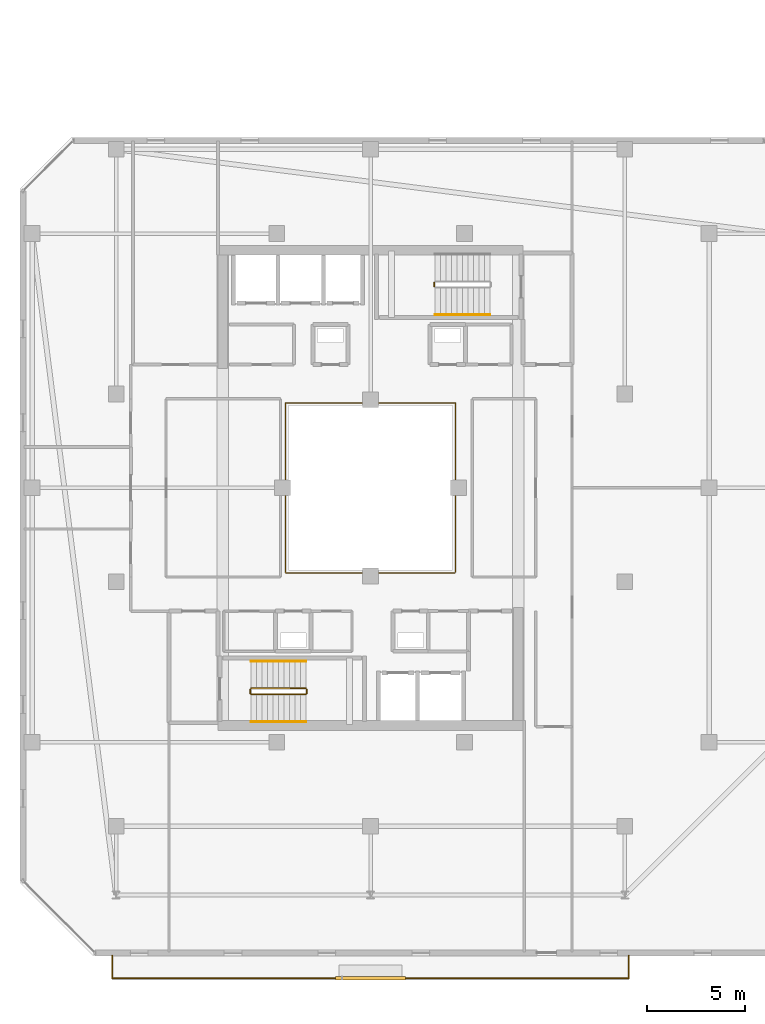
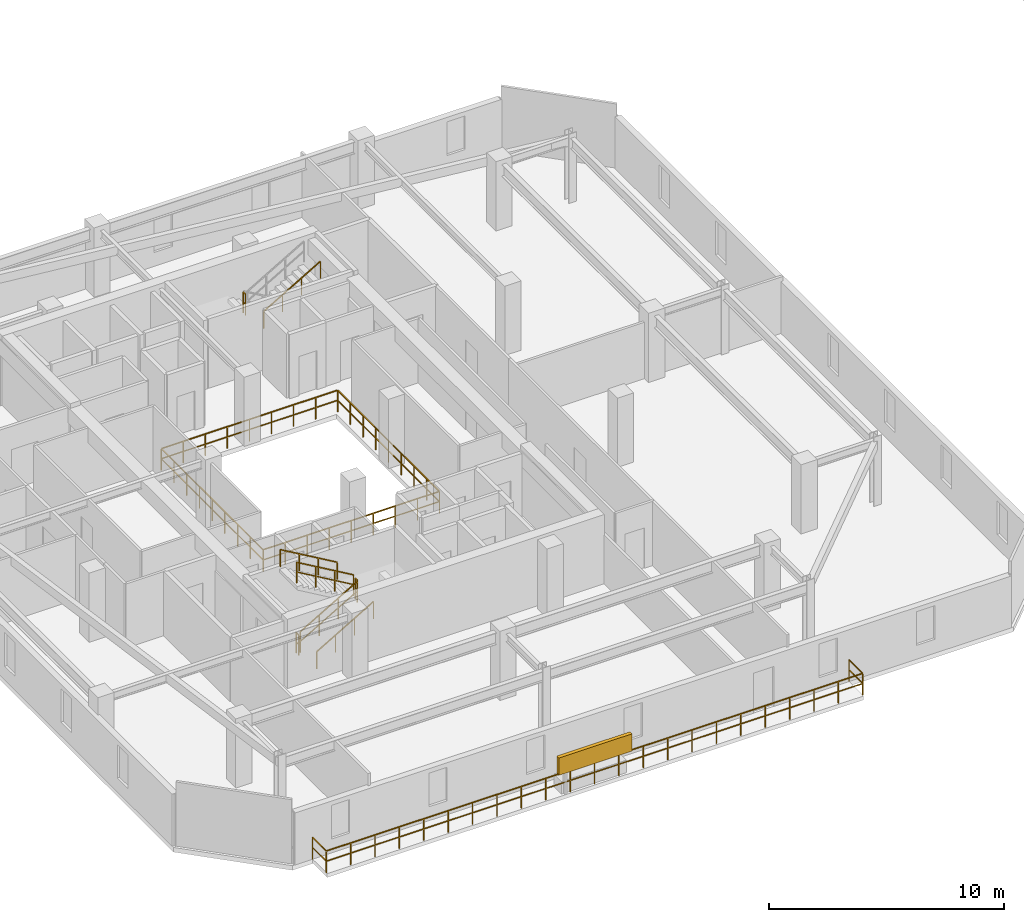
# One storey, part 31 of 34: 10 railings, 1 shading device.
"""IFC4 building model written with IfcOpenShell, lengths in metres."""

from ifc_helpers import new_model, si_unit, direction, frame, origin, origin_2d, place, context, subcontext, project, spatial, rectangle, extrude, material, type_object, element, save


model = new_model("IFC4")

# Units and contexts
model_context = context("Model", 3, precision=1e-05, world=origin(), true_north=direction((0.0, 1.0)))
body_context = subcontext(model_context, "Body", "Model", "MODEL_VIEW")
ifc_project = project(units=[si_unit("LENGTHUNIT", "METRE"), si_unit("AREAUNIT", "SQUARE_METRE"), si_unit("VOLUMEUNIT", "CUBIC_METRE"), si_unit("PLANEANGLEUNIT", "RADIAN"), si_unit("MASSUNIT", "GRAM", prefix="KILO")], contexts=[model_context])

# Site, building, storey
site_placement = place(None, origin())
site = spatial("IfcSite", under=ifc_project, at=site_placement, CompositionType="ELEMENT")
building_placement = place(site_placement, origin())
building = spatial("IfcBuilding", under=site, at=building_placement, Name="Thornwick Lancets Civic Towers", CompositionType="ELEMENT")
storey_placement = place(building_placement, frame((0.0, 0.0, 261.89990234375)))
storey = spatial("IfcBuildingStorey", under=building, at=storey_placement, Name="L70", CompositionType="ELEMENT", Elevation=261.89990234375)

# Railings
ifc_material_1 = material(Name="Laminated glass and bronze steel S355", Category="steel")
railing_type_1 = type_object("IfcRailingType", Name="RAIL_ATRIUM_GUARD", PredefinedType="BALUSTRADE", material=ifc_material_1)
railing_1_placement = place(storey_placement, frame((21.159912109375, 22.659912109375, 0.0)))
element("IfcRailing", 1, at=railing_1_placement, inside=storey, type_object=railing_type_1, Name="L70 Tower A Central Atrium Guard Balustrade", PredefinedType="BALUSTRADE", context=body_context, shape_type="SweptSolid", body=[
    extrude(rectangle(XDim=0.048095703125, YDim=0.048095703125, at=origin_2d()), frame((0.0, 0.0, 1.1259765625), z_axis=(1.0, 0.0, 0.0), x_axis=(0.0, 1.0, 0.0)), (0.0, 0.0, 1.0), 8.64892578125),
    extrude(rectangle(XDim=0.0419921875, YDim=0.0419921875, at=origin_2d()), frame((0.03759765625, 0.0, 0.597900390625), z_axis=(1.0, 0.0, 0.0), x_axis=(0.0, 1.0, 0.0)), (0.0, 0.0, 1.0), 1.010009765625),
    extrude(rectangle(XDim=0.0419921875, YDim=0.0419921875, at=origin_2d()), frame((1.12255859375, 0.0, 0.597900390625), z_axis=(1.0, 0.0, 0.0), x_axis=(0.0, 1.0, 0.0)), (0.0, 0.0, 1.0), 1.010009765625),
    extrude(rectangle(XDim=0.0419921875, YDim=0.0419921875, at=origin_2d()), frame((2.20751953125, 0.0, 0.597900390625), z_axis=(1.0, 0.0, 0.0), x_axis=(0.0, 1.0, 0.0)), (0.0, 0.0, 1.0), 1.010009765625),
    extrude(rectangle(XDim=0.0419921875, YDim=0.0419921875, at=origin_2d()), frame((3.29248046875, 0.0, 0.597900390625), z_axis=(1.0, 0.0, 0.0), x_axis=(0.0, 1.0, 0.0)), (0.0, 0.0, 1.0), 1.010009765625),
    extrude(rectangle(XDim=0.0419921875, YDim=0.0419921875, at=origin_2d()), frame((4.377685546875, 0.0, 0.597900390625), z_axis=(1.0, 0.0, 0.0), x_axis=(0.0, 1.0, 0.0)), (0.0, 0.0, 1.0), 1.010009765625),
    extrude(rectangle(XDim=0.0419921875, YDim=0.0419921875, at=origin_2d()), frame((5.462646484375, 0.0, 0.597900390625), z_axis=(1.0, 0.0, 0.0), x_axis=(0.0, 1.0, 0.0)), (0.0, 0.0, 1.0), 1.010009765625),
    extrude(rectangle(XDim=0.0419921875, YDim=0.0419921875, at=origin_2d()), frame((6.547607421875, 0.0, 0.597900390625), z_axis=(1.0, 0.0, 0.0), x_axis=(0.0, 1.0, 0.0)), (0.0, 0.0, 1.0), 1.010009765625),
    extrude(rectangle(XDim=0.0419921875, YDim=0.0419921875, at=origin_2d()), frame((7.632568359375, 0.0, 0.597900390625), z_axis=(1.0, 0.0, 0.0), x_axis=(0.0, 1.0, 0.0)), (0.0, 0.0, 1.0), 1.010009765625),
    extrude(rectangle(XDim=0.048095703125, YDim=0.048095703125, at=origin_2d()), frame((8.68017578125, 0.03125, 1.1259765625), z_axis=(0.0, 1.0, 0.0), x_axis=(-1.0, 0.0, 0.0)), (0.0, 0.0, 1.0), 8.61767578125),
    extrude(rectangle(XDim=0.0419921875, YDim=0.0419921875, at=origin_2d()), frame((8.68017578125, 0.03759765625, 0.597900390625), z_axis=(0.0, 1.0, 0.0), x_axis=(-1.0, 0.0, 0.0)), (0.0, 0.0, 1.0), 1.010009765625),
    extrude(rectangle(XDim=0.0419921875, YDim=0.0419921875, at=origin_2d()), frame((8.68017578125, 1.12255859375, 0.597900390625), z_axis=(0.0, 1.0, 0.0), x_axis=(-1.0, 0.0, 0.0)), (0.0, 0.0, 1.0), 1.010009765625),
    extrude(rectangle(XDim=0.0419921875, YDim=0.0419921875, at=origin_2d()), frame((8.68017578125, 2.20751953125, 0.597900390625), z_axis=(0.0, 1.0, 0.0), x_axis=(-1.0, 0.0, 0.0)), (0.0, 0.0, 1.0), 1.010009765625),
    extrude(rectangle(XDim=0.0419921875, YDim=0.0419921875, at=origin_2d()), frame((8.68017578125, 3.29248046875, 0.597900390625), z_axis=(0.0, 1.0, 0.0), x_axis=(-1.0, 0.0, 0.0)), (0.0, 0.0, 1.0), 1.010009765625),
    extrude(rectangle(XDim=0.0419921875, YDim=0.0419921875, at=origin_2d()), frame((8.68017578125, 4.377685546875, 0.597900390625), z_axis=(0.0, 1.0, 0.0), x_axis=(-1.0, 0.0, 0.0)), (0.0, 0.0, 1.0), 1.010009765625),
    extrude(rectangle(XDim=0.0419921875, YDim=0.0419921875, at=origin_2d()), frame((8.68017578125, 5.462646484375, 0.597900390625), z_axis=(0.0, 1.0, 0.0), x_axis=(-1.0, 0.0, 0.0)), (0.0, 0.0, 1.0), 1.010009765625),
    extrude(rectangle(XDim=0.0419921875, YDim=0.0419921875, at=origin_2d()), frame((8.68017578125, 6.547607421875, 0.597900390625), z_axis=(0.0, 1.0, 0.0), x_axis=(-1.0, 0.0, 0.0)), (0.0, 0.0, 1.0), 1.010009765625),
    extrude(rectangle(XDim=0.0419921875, YDim=0.0419921875, at=origin_2d()), frame((8.68017578125, 7.632568359375, 0.597900390625), z_axis=(0.0, 1.0, 0.0), x_axis=(-1.0, 0.0, 0.0)), (0.0, 0.0, 1.0), 1.010009765625),
    extrude(rectangle(XDim=0.048095703125, YDim=0.048095703125, at=origin_2d()), frame((8.64892578125, 8.68017578125, 1.1259765625), z_axis=(-1.0, 0.0, 0.0), x_axis=(0.0, -1.0, 0.0)), (0.0, 0.0, 1.0), 8.61767578125),
    extrude(rectangle(XDim=0.0419921875, YDim=0.0419921875, at=origin_2d()), frame((8.642578125, 8.68017578125, 0.597900390625), z_axis=(-1.0, 0.0, 0.0), x_axis=(0.0, -1.0, 0.0)), (0.0, 0.0, 1.0), 1.010009765625),
    extrude(rectangle(XDim=0.0419921875, YDim=0.0419921875, at=origin_2d()), frame((7.5576171875, 8.68017578125, 0.597900390625), z_axis=(-1.0, 0.0, 0.0), x_axis=(0.0, -1.0, 0.0)), (0.0, 0.0, 1.0), 1.010009765625),
    extrude(rectangle(XDim=0.0419921875, YDim=0.0419921875, at=origin_2d()), frame((6.47265625, 8.68017578125, 0.597900390625), z_axis=(-1.0, 0.0, 0.0), x_axis=(0.0, -1.0, 0.0)), (0.0, 0.0, 1.0), 1.010009765625),
    extrude(rectangle(XDim=0.0419921875, YDim=0.0419921875, at=origin_2d()), frame((5.3876953125, 8.68017578125, 0.597900390625), z_axis=(-1.0, 0.0, 0.0), x_axis=(0.0, -1.0, 0.0)), (0.0, 0.0, 1.0), 1.010009765625),
    extrude(rectangle(XDim=0.0419921875, YDim=0.0419921875, at=origin_2d()), frame((4.302490234375, 8.68017578125, 0.597900390625), z_axis=(-1.0, 0.0, 0.0), x_axis=(0.0, -1.0, 0.0)), (0.0, 0.0, 1.0), 1.010009765625),
    extrude(rectangle(XDim=0.0419921875, YDim=0.0419921875, at=origin_2d()), frame((3.217529296875, 8.68017578125, 0.597900390625), z_axis=(-1.0, 0.0, 0.0), x_axis=(0.0, -1.0, 0.0)), (0.0, 0.0, 1.0), 1.010009765625),
    extrude(rectangle(XDim=0.0419921875, YDim=0.0419921875, at=origin_2d()), frame((2.132568359375, 8.68017578125, 0.597900390625), z_axis=(-1.0, 0.0, 0.0), x_axis=(0.0, -1.0, 0.0)), (0.0, 0.0, 1.0), 1.010009765625),
    extrude(rectangle(XDim=0.0419921875, YDim=0.0419921875, at=origin_2d()), frame((1.047607421875, 8.68017578125, 0.597900390625), z_axis=(-1.0, 0.0, 0.0), x_axis=(0.0, -1.0, 0.0)), (0.0, 0.0, 1.0), 1.010009765625),
    extrude(rectangle(XDim=0.048095703125, YDim=0.048095703125, at=origin_2d()), frame((0.0, 8.64892578125, 1.1259765625), z_axis=(0.0, -1.0, 0.0), x_axis=(1.0, 0.0, 0.0)), (0.0, 0.0, 1.0), 8.64892578125),
    extrude(rectangle(XDim=0.0419921875, YDim=0.0419921875, at=origin_2d()), frame((0.0, 8.642578125, 0.597900390625), z_axis=(0.0, -1.0, 0.0), x_axis=(1.0, 0.0, 0.0)), (0.0, 0.0, 1.0), 1.010009765625),
    extrude(rectangle(XDim=0.0419921875, YDim=0.0419921875, at=origin_2d()), frame((0.0, 7.5576171875, 0.597900390625), z_axis=(0.0, -1.0, 0.0), x_axis=(1.0, 0.0, 0.0)), (0.0, 0.0, 1.0), 1.010009765625),
    extrude(rectangle(XDim=0.0419921875, YDim=0.0419921875, at=origin_2d()), frame((0.0, 6.47265625, 0.597900390625), z_axis=(0.0, -1.0, 0.0), x_axis=(1.0, 0.0, 0.0)), (0.0, 0.0, 1.0), 1.010009765625),
    extrude(rectangle(XDim=0.0419921875, YDim=0.0419921875, at=origin_2d()), frame((0.0, 5.3876953125, 0.597900390625), z_axis=(0.0, -1.0, 0.0), x_axis=(1.0, 0.0, 0.0)), (0.0, 0.0, 1.0), 1.010009765625),
    extrude(rectangle(XDim=0.0419921875, YDim=0.0419921875, at=origin_2d()), frame((0.0, 4.302490234375, 0.597900390625), z_axis=(0.0, -1.0, 0.0), x_axis=(1.0, 0.0, 0.0)), (0.0, 0.0, 1.0), 1.010009765625),
    extrude(rectangle(XDim=0.0419921875, YDim=0.0419921875, at=origin_2d()), frame((0.0, 3.217529296875, 0.597900390625), z_axis=(0.0, -1.0, 0.0), x_axis=(1.0, 0.0, 0.0)), (0.0, 0.0, 1.0), 1.010009765625),
    extrude(rectangle(XDim=0.0419921875, YDim=0.0419921875, at=origin_2d()), frame((0.0, 2.132568359375, 0.597900390625), z_axis=(0.0, -1.0, 0.0), x_axis=(1.0, 0.0, 0.0)), (0.0, 0.0, 1.0), 1.010009765625),
    extrude(rectangle(XDim=0.0419921875, YDim=0.0419921875, at=origin_2d()), frame((0.0, 1.047607421875, 0.597900390625), z_axis=(0.0, -1.0, 0.0), x_axis=(1.0, 0.0, 0.0)), (0.0, 0.0, 1.0), 1.010009765625),
    extrude(rectangle(XDim=0.0419921875, YDim=0.0419921875, at=origin_2d()), origin(), (0.0, 0.0, 1.0), 1.095703125),
    extrude(rectangle(XDim=0.0419921875, YDim=0.0419921875, at=origin_2d()), frame((1.0849609375, 0.0, 0.0)), (0.0, 0.0, 1.0), 1.095703125),
    extrude(rectangle(XDim=0.0419921875, YDim=0.0419921875, at=origin_2d()), frame((2.169921875, 0.0, 0.0)), (0.0, 0.0, 1.0), 1.095703125),
    extrude(rectangle(XDim=0.0419921875, YDim=0.0419921875, at=origin_2d()), frame((3.255126953125, 0.0, 0.0)), (0.0, 0.0, 1.0), 1.095703125),
    extrude(rectangle(XDim=0.0419921875, YDim=0.0419921875, at=origin_2d()), frame((4.340087890625, 0.0, 0.0)), (0.0, 0.0, 1.0), 1.095703125),
    extrude(rectangle(XDim=0.0419921875, YDim=0.0419921875, at=origin_2d()), frame((5.425048828125, 0.0, 0.0)), (0.0, 0.0, 1.0), 1.095703125),
    extrude(rectangle(XDim=0.0419921875, YDim=0.0419921875, at=origin_2d()), frame((6.51025390625, 0.0, 0.0)), (0.0, 0.0, 1.0), 1.095703125),
    extrude(rectangle(XDim=0.0419921875, YDim=0.0419921875, at=origin_2d()), frame((7.59521484375, 0.0, 0.0)), (0.0, 0.0, 1.0), 1.095703125),
    extrude(rectangle(XDim=0.0419921875, YDim=0.0419921875, at=origin_2d()), frame((8.68017578125, 0.0, 0.0)), (0.0, 0.0, 1.0), 1.095703125),
    extrude(rectangle(XDim=0.0419921875, YDim=0.0419921875, at=origin_2d()), frame((8.68017578125, 1.0849609375, 0.0)), (0.0, 0.0, 1.0), 1.095703125),
    extrude(rectangle(XDim=0.0419921875, YDim=0.0419921875, at=origin_2d()), frame((8.68017578125, 2.169921875, 0.0)), (0.0, 0.0, 1.0), 1.095703125),
    extrude(rectangle(XDim=0.0419921875, YDim=0.0419921875, at=origin_2d()), frame((8.68017578125, 3.255126953125, 0.0)), (0.0, 0.0, 1.0), 1.095703125),
    extrude(rectangle(XDim=0.0419921875, YDim=0.0419921875, at=origin_2d()), frame((8.68017578125, 4.340087890625, 0.0)), (0.0, 0.0, 1.0), 1.095703125),
    extrude(rectangle(XDim=0.0419921875, YDim=0.0419921875, at=origin_2d()), frame((8.68017578125, 5.425048828125, 0.0)), (0.0, 0.0, 1.0), 1.095703125),
    extrude(rectangle(XDim=0.0419921875, YDim=0.0419921875, at=origin_2d()), frame((8.68017578125, 6.51025390625, 0.0)), (0.0, 0.0, 1.0), 1.095703125),
    extrude(rectangle(XDim=0.0419921875, YDim=0.0419921875, at=origin_2d()), frame((8.68017578125, 7.59521484375, 0.0)), (0.0, 0.0, 1.0), 1.095703125),
    extrude(rectangle(XDim=0.0419921875, YDim=0.0419921875, at=origin_2d()), frame((8.68017578125, 8.68017578125, 0.0)), (0.0, 0.0, 1.0), 1.095703125),
    extrude(rectangle(XDim=0.0419921875, YDim=0.0419921875, at=origin_2d()), frame((7.59521484375, 8.68017578125, 0.0)), (0.0, 0.0, 1.0), 1.095703125),
    extrude(rectangle(XDim=0.0419921875, YDim=0.0419921875, at=origin_2d()), frame((6.51025390625, 8.68017578125, 0.0)), (0.0, 0.0, 1.0), 1.095703125),
    extrude(rectangle(XDim=0.0419921875, YDim=0.0419921875, at=origin_2d()), frame((5.425048828125, 8.68017578125, 0.0)), (0.0, 0.0, 1.0), 1.095703125),
    extrude(rectangle(XDim=0.0419921875, YDim=0.0419921875, at=origin_2d()), frame((4.340087890625, 8.68017578125, 0.0)), (0.0, 0.0, 1.0), 1.095703125),
    extrude(rectangle(XDim=0.0419921875, YDim=0.0419921875, at=origin_2d()), frame((3.255126953125, 8.68017578125, 0.0)), (0.0, 0.0, 1.0), 1.095703125),
    extrude(rectangle(XDim=0.0419921875, YDim=0.0419921875, at=origin_2d()), frame((2.169921875, 8.68017578125, 0.0)), (0.0, 0.0, 1.0), 1.095703125),
    extrude(rectangle(XDim=0.0419921875, YDim=0.0419921875, at=origin_2d()), frame((1.0849609375, 8.68017578125, 0.0)), (0.0, 0.0, 1.0), 1.095703125),
    extrude(rectangle(XDim=0.0419921875, YDim=0.0419921875, at=origin_2d()), frame((0.0, 8.68017578125, 0.0)), (0.0, 0.0, 1.0), 1.095703125),
    extrude(rectangle(XDim=0.0419921875, YDim=0.0419921875, at=origin_2d()), frame((0.0, 7.59521484375, 0.0)), (0.0, 0.0, 1.0), 1.095703125),
    extrude(rectangle(XDim=0.0419921875, YDim=0.0419921875, at=origin_2d()), frame((0.0, 6.51025390625, 0.0)), (0.0, 0.0, 1.0), 1.095703125),
    extrude(rectangle(XDim=0.0419921875, YDim=0.0419921875, at=origin_2d()), frame((0.0, 5.425048828125, 0.0)), (0.0, 0.0, 1.0), 1.095703125),
    extrude(rectangle(XDim=0.0419921875, YDim=0.0419921875, at=origin_2d()), frame((0.0, 4.340087890625, 0.0)), (0.0, 0.0, 1.0), 1.095703125),
    extrude(rectangle(XDim=0.0419921875, YDim=0.0419921875, at=origin_2d()), frame((0.0, 3.255126953125, 0.0)), (0.0, 0.0, 1.0), 1.095703125),
    extrude(rectangle(XDim=0.0419921875, YDim=0.0419921875, at=origin_2d()), frame((0.0, 2.169921875, 0.0)), (0.0, 0.0, 1.0), 1.095703125),
    extrude(rectangle(XDim=0.0419921875, YDim=0.0419921875, at=origin_2d()), frame((0.0, 1.0849609375, 0.0)), (0.0, 0.0, 1.0), 1.095703125),
])
ifc_material_2 = material(Name="Brushed stainless steel S355", Category="steel")
railing_type_2 = type_object("IfcRailingType", Name="RAIL_HANDRAIL", PredefinedType="HANDRAIL", material=ifc_material_2)
railing_2_placement = place(storey_placement, frame((19.39990234375, 15.050048828125, 0.163818359375)))
element("IfcRailing", 2, at=railing_2_placement, inside=storey, type_object=railing_type_2, Name="L70 ST-A1 stair handrail 1", PredefinedType="HANDRAIL", context=body_context, shape_type="SweptSolid", body=[
    extrude(rectangle(XDim=0.048095703125, YDim=0.048095703125, at=origin_2d()), frame((0.0, 0.0, 0.8857421875), z_axis=(0.863393664356, 0.0, 0.504530851732), x_axis=(0.0, 1.0, 0.0)), (0.0, 0.0, 1.0), 3.2431640625),
    extrude(rectangle(XDim=0.0419921875, YDim=0.0419921875, at=origin_2d()), origin(), (0.0, 0.0, 1.0), 0.855712890625),
    extrude(rectangle(XDim=0.0419921875, YDim=0.0419921875, at=origin_2d()), frame((0.933349609375, 0.0, 0.54541015625)), (0.0, 0.0, 1.0), 0.855712890625),
    extrude(rectangle(XDim=0.0419921875, YDim=0.0419921875, at=origin_2d()), frame((1.86669921875, 0.0, 1.0908203125)), (0.0, 0.0, 1.0), 0.855712890625),
    extrude(rectangle(XDim=0.0419921875, YDim=0.0419921875, at=origin_2d()), frame((2.800048828125, 0.0, 1.63623046875)), (0.0, 0.0, 1.0), 0.855712890625),
])
railing_3_placement = place(storey_placement, frame((22.199951171875, 18.14990234375, 1.963623046875)))
element("IfcRailing", 3, at=railing_3_placement, inside=storey, type_object=railing_type_2, Name="L70 ST-A1 stair handrail 2", PredefinedType="HANDRAIL", context=body_context, shape_type="SweptSolid", body=[
    extrude(rectangle(XDim=0.048095703125, YDim=0.048095703125, at=origin_2d()), frame((0.0, 0.0, 0.8857421875), z_axis=(-0.863360870873, 0.0, 0.504586966384), x_axis=(0.0, -1.0, 0.0)), (0.0, 0.0, 1.0), 3.2431640625),
    extrude(rectangle(XDim=0.0419921875, YDim=0.0419921875, at=origin_2d()), origin(), (0.0, 0.0, 1.0), 0.855712890625),
    extrude(rectangle(XDim=0.0419921875, YDim=0.0419921875, at=origin_2d()), frame((-0.933349609375, 0.0, 0.54541015625)), (0.0, 0.0, 1.0), 0.855712890625),
    extrude(rectangle(XDim=0.0419921875, YDim=0.0419921875, at=origin_2d()), frame((-1.86669921875, 0.0, 1.091064453125)), (0.0, 0.0, 1.0), 0.855712890625),
    extrude(rectangle(XDim=0.0419921875, YDim=0.0419921875, at=origin_2d()), frame((-2.800048828125, 0.0, 1.636474609375)), (0.0, 0.0, 1.0), 0.855712890625),
])
railing_4_placement = place(storey_placement, frame((28.800048828125, 35.85009765625, 1.963623046875)))
element("IfcRailing", 4, at=railing_4_placement, inside=storey, type_object=railing_type_2, Name="L70 ST-A2 stair handrail 2", PredefinedType="HANDRAIL", context=body_context, shape_type="SweptSolid", body=[
    extrude(rectangle(XDim=0.048095703125, YDim=0.048095703125, at=origin_2d()), frame((0.0, 0.0, 0.8857421875), z_axis=(0.863360870873, 0.0, 0.504586966384), x_axis=(0.0, 1.0, 0.0)), (0.0, 0.0, 1.0), 3.2431640625),
    extrude(rectangle(XDim=0.0419921875, YDim=0.0419921875, at=origin_2d()), origin(), (0.0, 0.0, 1.0), 0.855712890625),
    extrude(rectangle(XDim=0.0419921875, YDim=0.0419921875, at=origin_2d()), frame((0.933349609375, 0.0, 0.54541015625)), (0.0, 0.0, 1.0), 0.855712890625),
    extrude(rectangle(XDim=0.0419921875, YDim=0.0419921875, at=origin_2d()), frame((1.86669921875, 0.0, 1.091064453125)), (0.0, 0.0, 1.0), 0.855712890625),
    extrude(rectangle(XDim=0.0419921875, YDim=0.0419921875, at=origin_2d()), frame((2.800048828125, 0.0, 1.636474609375)), (0.0, 0.0, 1.0), 0.855712890625),
])
ifc_material_3 = material(Name="Steel S355JR", Category="steel")
railing_type_3 = type_object("IfcRailingType", Name="RAIL_STAIR_GUARD", PredefinedType="GUARDRAIL", material=ifc_material_3)
railing_5_placement = place(storey_placement, frame((19.39990234375, 16.449951171875, 0.163818359375)))
element("IfcRailing", 5, at=railing_5_placement, inside=storey, type_object=railing_type_3, Name="L70 ST-A1 stair guard 1", PredefinedType="GUARDRAIL", context=body_context, shape_type="SweptSolid", body=[
    extrude(rectangle(XDim=0.048095703125, YDim=0.048095703125, at=origin_2d()), frame((0.0, 0.0, 1.076171875), z_axis=(0.863393664356, 0.0, 0.504530851732), x_axis=(0.0, 1.0, 0.0)), (0.0, 0.0, 1.0), 3.2431640625),
    extrude(rectangle(XDim=0.0419921875, YDim=0.0419921875, at=origin_2d()), frame((0.032470703125, 0.0, 0.591064453125), z_axis=(0.863393664356, 0.0, 0.504530851732), x_axis=(0.0, 1.0, 0.0)), (0.0, 0.0, 1.0), 1.006103515625),
    extrude(rectangle(XDim=0.0419921875, YDim=0.0419921875, at=origin_2d()), frame((0.9658203125, 0.0, 1.136474609375), z_axis=(0.863393664356, 0.0, 0.504530851732), x_axis=(0.0, 1.0, 0.0)), (0.0, 0.0, 1.0), 1.006103515625),
    extrude(rectangle(XDim=0.0419921875, YDim=0.0419921875, at=origin_2d()), frame((1.899169921875, 0.0, 1.681884765625), z_axis=(0.863393664356, 0.0, 0.504530851732), x_axis=(0.0, 1.0, 0.0)), (0.0, 0.0, 1.0), 1.006103515625),
    extrude(rectangle(XDim=0.0419921875, YDim=0.0419921875, at=origin_2d()), origin(), (0.0, 0.0, 1.0), 1.0458984375),
    extrude(rectangle(XDim=0.0419921875, YDim=0.0419921875, at=origin_2d()), frame((0.933349609375, 0.0, 0.54541015625)), (0.0, 0.0, 1.0), 1.0458984375),
    extrude(rectangle(XDim=0.0419921875, YDim=0.0419921875, at=origin_2d()), frame((1.86669921875, 0.0, 1.0908203125)), (0.0, 0.0, 1.0), 1.0458984375),
    extrude(rectangle(XDim=0.0419921875, YDim=0.0419921875, at=origin_2d()), frame((2.800048828125, 0.0, 1.63623046875)), (0.0, 0.0, 1.0), 1.0458984375),
])
railing_6_placement = place(storey_placement, frame((22.25, 16.5, 1.800048828125)))
element("IfcRailing", 6, at=railing_6_placement, inside=storey, type_object=railing_type_3, Name="L70 ST-A1 stair guard 2", PredefinedType="GUARDRAIL", context=body_context, shape_type="SweptSolid", body=[
    extrude(rectangle(XDim=0.048095703125, YDim=0.048095703125, at=origin_2d()), frame((0.0, 0.0, 1.076171875), z_axis=(0.0, 1.0, 0.0), x_axis=(-1.0, 0.0, 0.0)), (0.0, 0.0, 1.0), 0.199951171875),
    extrude(rectangle(XDim=0.0419921875, YDim=0.0419921875, at=origin_2d()), frame((0.0, 0.03759765625, 0.572021484375), z_axis=(0.0, 1.0, 0.0), x_axis=(-1.0, 0.0, 0.0)), (0.0, 0.0, 1.0), 0.125),
    extrude(rectangle(XDim=0.0419921875, YDim=0.0419921875, at=origin_2d()), origin(), (0.0, 0.0, 1.0), 1.0458984375),
    extrude(rectangle(XDim=0.0419921875, YDim=0.0419921875, at=origin_2d()), frame((0.0, 0.199951171875, 0.0)), (0.0, 0.0, 1.0), 1.0458984375),
])
railing_7_placement = place(storey_placement, frame((22.199951171875, 16.75, 1.963623046875)))
element("IfcRailing", 7, at=railing_7_placement, inside=storey, type_object=railing_type_3, Name="L70 ST-A1 stair guard 3", PredefinedType="GUARDRAIL", context=body_context, shape_type="SweptSolid", body=[
    extrude(rectangle(XDim=0.048095703125, YDim=0.048095703125, at=origin_2d()), frame((0.0, 0.0, 1.076171875), z_axis=(-0.863360870873, 0.0, 0.504586966384), x_axis=(0.0, -1.0, 0.0)), (0.0, 0.0, 1.0), 3.2431640625),
    extrude(rectangle(XDim=0.0419921875, YDim=0.0419921875, at=origin_2d()), frame((-0.032470703125, 0.0, 0.591064453125), z_axis=(-0.863360870873, 0.0, 0.504586966384), x_axis=(0.0, -1.0, 0.0)), (0.0, 0.0, 1.0), 1.006103515625),
    extrude(rectangle(XDim=0.0419921875, YDim=0.0419921875, at=origin_2d()), frame((-0.9658203125, 0.0, 1.136474609375), z_axis=(-0.863360870873, 0.0, 0.504586966384), x_axis=(0.0, -1.0, 0.0)), (0.0, 0.0, 1.0), 1.006103515625),
    extrude(rectangle(XDim=0.0419921875, YDim=0.0419921875, at=origin_2d()), frame((-1.899169921875, 0.0, 1.681884765625), z_axis=(-0.863360870873, 0.0, 0.504586966384), x_axis=(0.0, -1.0, 0.0)), (0.0, 0.0, 1.0), 1.006103515625),
    extrude(rectangle(XDim=0.0419921875, YDim=0.0419921875, at=origin_2d()), origin(), (0.0, 0.0, 1.0), 1.0458984375),
    extrude(rectangle(XDim=0.0419921875, YDim=0.0419921875, at=origin_2d()), frame((-0.933349609375, 0.0, 0.54541015625)), (0.0, 0.0, 1.0), 1.0458984375),
    extrude(rectangle(XDim=0.0419921875, YDim=0.0419921875, at=origin_2d()), frame((-1.86669921875, 0.0, 1.091064453125)), (0.0, 0.0, 1.0), 1.0458984375),
    extrude(rectangle(XDim=0.0419921875, YDim=0.0419921875, at=origin_2d()), frame((-2.800048828125, 0.0, 1.636474609375)), (0.0, 0.0, 1.0), 1.0458984375),
])
railing_8_placement = place(storey_placement, frame((19.35009765625, 16.5, 0.0)))
element("IfcRailing", 8, at=railing_8_placement, inside=storey, type_object=railing_type_3, Name="L70 ST-A1 stair guard 4", PredefinedType="GUARDRAIL", context=body_context, shape_type="SweptSolid", body=[
    extrude(rectangle(XDim=0.048095703125, YDim=0.048095703125, at=origin_2d()), frame((0.0, 0.0, 1.076171875), z_axis=(0.0, 1.0, 0.0), x_axis=(-1.0, 0.0, 0.0)), (0.0, 0.0, 1.0), 0.199951171875),
    extrude(rectangle(XDim=0.0419921875, YDim=0.0419921875, at=origin_2d()), frame((0.0, 0.03759765625, 0.572021484375), z_axis=(0.0, 1.0, 0.0), x_axis=(-1.0, 0.0, 0.0)), (0.0, 0.0, 1.0), 0.125),
    extrude(rectangle(XDim=0.0419921875, YDim=0.0419921875, at=origin_2d()), origin(), (0.0, 0.0, 1.0), 1.0458984375),
    extrude(rectangle(XDim=0.0419921875, YDim=0.0419921875, at=origin_2d()), frame((0.0, 0.199951171875, 0.0)), (0.0, 0.0, 1.0), 1.0458984375),
])
railing_9_placement = place(storey_placement, frame((28.75, 37.5, 1.800048828125)))
element("IfcRailing", 9, at=railing_9_placement, inside=storey, type_object=railing_type_3, Name="L70 ST-A2 stair guard 2", PredefinedType="GUARDRAIL", context=body_context, shape_type="SweptSolid", body=[
    extrude(rectangle(XDim=0.048095703125, YDim=0.048095703125, at=origin_2d()), frame((0.0, 0.0, 1.076171875), z_axis=(0.0, -1.0, 0.0), x_axis=(1.0, 0.0, 0.0)), (0.0, 0.0, 1.0), 0.199951171875),
    extrude(rectangle(XDim=0.0419921875, YDim=0.0419921875, at=origin_2d()), frame((0.0, -0.03759765625, 0.572021484375), z_axis=(0.0, -1.0, 0.0), x_axis=(1.0, 0.0, 0.0)), (0.0, 0.0, 1.0), 0.125),
    extrude(rectangle(XDim=0.0419921875, YDim=0.0419921875, at=origin_2d()), origin(), (0.0, 0.0, 1.0), 1.0458984375),
    extrude(rectangle(XDim=0.0419921875, YDim=0.0419921875, at=origin_2d()), frame((0.0, -0.199951171875, 0.0)), (0.0, 0.0, 1.0), 1.0458984375),
])
ifc_material_4 = material(Name="Terracotta-capped laminated glass balustrade S355", Category="masonry")
railing_type_4 = type_object("IfcRailingType", Name="RAIL_TERR_GUARD", PredefinedType="GUARDRAIL", material=ifc_material_4)
railing_10_placement = place(storey_placement, frame((12.300048828125, 3.10009765625, 0.0)))
element("IfcRailing", 10, at=railing_10_placement, inside=storey, type_object=railing_type_4, Name="L70 Tower A Balcony Guard S", PredefinedType="GUARDRAIL", context=body_context, shape_type="SweptSolid", body=[
    extrude(rectangle(XDim=0.048095703125, YDim=0.048095703125, at=origin_2d()), frame((0.0, 0.0, 1.1259765625), z_axis=(0.0, -1.0, 0.0), x_axis=(1.0, 0.0, 0.0)), (0.0, 0.0, 1.0), 1.138916015625),
    extrude(rectangle(XDim=0.0419921875, YDim=0.0419921875, at=origin_2d()), frame((0.0, -0.03759765625, 0.597900390625), z_axis=(0.0, -1.0, 0.0), x_axis=(1.0, 0.0, 0.0)), (0.0, 0.0, 1.0), 1.09521484375),
    extrude(rectangle(XDim=0.048095703125, YDim=0.048095703125, at=origin_2d()), frame((0.03125, -1.170166015625, 1.1259765625), z_axis=(1.0, 0.0, 0.0), x_axis=(0.0, 1.0, 0.0)), (0.0, 0.0, 1.0), 26.33740234375),
    extrude(rectangle(XDim=0.0419921875, YDim=0.0419921875, at=origin_2d()), frame((0.03759765625, -1.170166015625, 0.597900390625), z_axis=(1.0, 0.0, 0.0), x_axis=(0.0, 1.0, 0.0)), (0.0, 0.0, 1.0), 1.125),
    extrude(rectangle(XDim=0.0419921875, YDim=0.0419921875, at=origin_2d()), frame((1.237548828125, -1.170166015625, 0.597900390625), z_axis=(1.0, 0.0, 0.0), x_axis=(0.0, 1.0, 0.0)), (0.0, 0.0, 1.0), 1.125),
    extrude(rectangle(XDim=0.0419921875, YDim=0.0419921875, at=origin_2d()), frame((2.4375, -1.170166015625, 0.597900390625), z_axis=(1.0, 0.0, 0.0), x_axis=(0.0, 1.0, 0.0)), (0.0, 0.0, 1.0), 1.125),
    extrude(rectangle(XDim=0.0419921875, YDim=0.0419921875, at=origin_2d()), frame((3.637451171875, -1.170166015625, 0.597900390625), z_axis=(1.0, 0.0, 0.0), x_axis=(0.0, 1.0, 0.0)), (0.0, 0.0, 1.0), 1.125),
    extrude(rectangle(XDim=0.0419921875, YDim=0.0419921875, at=origin_2d()), frame((4.83740234375, -1.170166015625, 0.597900390625), z_axis=(1.0, 0.0, 0.0), x_axis=(0.0, 1.0, 0.0)), (0.0, 0.0, 1.0), 1.125),
    extrude(rectangle(XDim=0.0419921875, YDim=0.0419921875, at=origin_2d()), frame((6.037353515625, -1.170166015625, 0.597900390625), z_axis=(1.0, 0.0, 0.0), x_axis=(0.0, 1.0, 0.0)), (0.0, 0.0, 1.0), 1.125),
    extrude(rectangle(XDim=0.0419921875, YDim=0.0419921875, at=origin_2d()), frame((7.237548828125, -1.170166015625, 0.597900390625), z_axis=(1.0, 0.0, 0.0), x_axis=(0.0, 1.0, 0.0)), (0.0, 0.0, 1.0), 1.125),
    extrude(rectangle(XDim=0.0419921875, YDim=0.0419921875, at=origin_2d()), frame((8.4375, -1.170166015625, 0.597900390625), z_axis=(1.0, 0.0, 0.0), x_axis=(0.0, 1.0, 0.0)), (0.0, 0.0, 1.0), 1.125),
    extrude(rectangle(XDim=0.0419921875, YDim=0.0419921875, at=origin_2d()), frame((9.637451171875, -1.170166015625, 0.597900390625), z_axis=(1.0, 0.0, 0.0), x_axis=(0.0, 1.0, 0.0)), (0.0, 0.0, 1.0), 1.125),
    extrude(rectangle(XDim=0.0419921875, YDim=0.0419921875, at=origin_2d()), frame((10.83740234375, -1.170166015625, 0.597900390625), z_axis=(1.0, 0.0, 0.0), x_axis=(0.0, 1.0, 0.0)), (0.0, 0.0, 1.0), 1.125),
    extrude(rectangle(XDim=0.0419921875, YDim=0.0419921875, at=origin_2d()), frame((12.037353515625, -1.170166015625, 0.597900390625), z_axis=(1.0, 0.0, 0.0), x_axis=(0.0, 1.0, 0.0)), (0.0, 0.0, 1.0), 1.125),
    extrude(rectangle(XDim=0.0419921875, YDim=0.0419921875, at=origin_2d()), frame((13.237548828125, -1.170166015625, 0.597900390625), z_axis=(1.0, 0.0, 0.0), x_axis=(0.0, 1.0, 0.0)), (0.0, 0.0, 1.0), 1.125),
    extrude(rectangle(XDim=0.0419921875, YDim=0.0419921875, at=origin_2d()), frame((14.4375, -1.170166015625, 0.597900390625), z_axis=(1.0, 0.0, 0.0), x_axis=(0.0, 1.0, 0.0)), (0.0, 0.0, 1.0), 1.125),
    extrude(rectangle(XDim=0.0419921875, YDim=0.0419921875, at=origin_2d()), frame((15.637451171875, -1.170166015625, 0.597900390625), z_axis=(1.0, 0.0, 0.0), x_axis=(0.0, 1.0, 0.0)), (0.0, 0.0, 1.0), 1.125),
    extrude(rectangle(XDim=0.0419921875, YDim=0.0419921875, at=origin_2d()), frame((16.83740234375, -1.170166015625, 0.597900390625), z_axis=(1.0, 0.0, 0.0), x_axis=(0.0, 1.0, 0.0)), (0.0, 0.0, 1.0), 1.125),
    extrude(rectangle(XDim=0.0419921875, YDim=0.0419921875, at=origin_2d()), frame((18.037353515625, -1.170166015625, 0.597900390625), z_axis=(1.0, 0.0, 0.0), x_axis=(0.0, 1.0, 0.0)), (0.0, 0.0, 1.0), 1.125),
    extrude(rectangle(XDim=0.0419921875, YDim=0.0419921875, at=origin_2d()), frame((19.2373046875, -1.170166015625, 0.597900390625), z_axis=(1.0, 0.0, 0.0), x_axis=(0.0, 1.0, 0.0)), (0.0, 0.0, 1.0), 1.125),
    extrude(rectangle(XDim=0.0419921875, YDim=0.0419921875, at=origin_2d()), frame((20.4375, -1.170166015625, 0.597900390625), z_axis=(1.0, 0.0, 0.0), x_axis=(0.0, 1.0, 0.0)), (0.0, 0.0, 1.0), 1.125),
    extrude(rectangle(XDim=0.0419921875, YDim=0.0419921875, at=origin_2d()), frame((21.637451171875, -1.170166015625, 0.597900390625), z_axis=(1.0, 0.0, 0.0), x_axis=(0.0, 1.0, 0.0)), (0.0, 0.0, 1.0), 1.125),
    extrude(rectangle(XDim=0.0419921875, YDim=0.0419921875, at=origin_2d()), frame((22.83740234375, -1.170166015625, 0.597900390625), z_axis=(1.0, 0.0, 0.0), x_axis=(0.0, 1.0, 0.0)), (0.0, 0.0, 1.0), 1.125),
    extrude(rectangle(XDim=0.0419921875, YDim=0.0419921875, at=origin_2d()), frame((24.037353515625, -1.170166015625, 0.597900390625), z_axis=(1.0, 0.0, 0.0), x_axis=(0.0, 1.0, 0.0)), (0.0, 0.0, 1.0), 1.125),
    extrude(rectangle(XDim=0.0419921875, YDim=0.0419921875, at=origin_2d()), frame((25.2373046875, -1.170166015625, 0.597900390625), z_axis=(1.0, 0.0, 0.0), x_axis=(0.0, 1.0, 0.0)), (0.0, 0.0, 1.0), 1.125),
    extrude(rectangle(XDim=0.048095703125, YDim=0.048095703125, at=origin_2d()), frame((26.39990234375, -1.138916015625, 1.1259765625), z_axis=(0.0, 1.0, 0.0), x_axis=(-1.0, 0.0, 0.0)), (0.0, 0.0, 1.0), 1.138916015625),
    extrude(rectangle(XDim=0.0419921875, YDim=0.0419921875, at=origin_2d()), frame((26.39990234375, -1.132568359375, 0.597900390625), z_axis=(0.0, 1.0, 0.0), x_axis=(-1.0, 0.0, 0.0)), (0.0, 0.0, 1.0), 1.09521484375),
    extrude(rectangle(XDim=0.0419921875, YDim=0.0419921875, at=origin_2d()), origin(), (0.0, 0.0, 1.0), 1.095703125),
    extrude(rectangle(XDim=0.0419921875, YDim=0.0419921875, at=origin_2d()), frame((0.0, -1.170166015625, 0.0)), (0.0, 0.0, 1.0), 1.095703125),
    extrude(rectangle(XDim=0.0419921875, YDim=0.0419921875, at=origin_2d()), frame((1.199951171875, -1.170166015625, 0.0)), (0.0, 0.0, 1.0), 1.095703125),
    extrude(rectangle(XDim=0.0419921875, YDim=0.0419921875, at=origin_2d()), frame((2.39990234375, -1.170166015625, 0.0)), (0.0, 0.0, 1.0), 1.095703125),
    extrude(rectangle(XDim=0.0419921875, YDim=0.0419921875, at=origin_2d()), frame((3.60009765625, -1.170166015625, 0.0)), (0.0, 0.0, 1.0), 1.095703125),
    extrude(rectangle(XDim=0.0419921875, YDim=0.0419921875, at=origin_2d()), frame((4.800048828125, -1.170166015625, 0.0)), (0.0, 0.0, 1.0), 1.095703125),
    extrude(rectangle(XDim=0.0419921875, YDim=0.0419921875, at=origin_2d()), frame((6.0, -1.170166015625, 0.0)), (0.0, 0.0, 1.0), 1.095703125),
    extrude(rectangle(XDim=0.0419921875, YDim=0.0419921875, at=origin_2d()), frame((7.199951171875, -1.170166015625, 0.0)), (0.0, 0.0, 1.0), 1.095703125),
    extrude(rectangle(XDim=0.0419921875, YDim=0.0419921875, at=origin_2d()), frame((8.39990234375, -1.170166015625, 0.0)), (0.0, 0.0, 1.0), 1.095703125),
    extrude(rectangle(XDim=0.0419921875, YDim=0.0419921875, at=origin_2d()), frame((9.599853515625, -1.170166015625, 0.0)), (0.0, 0.0, 1.0), 1.095703125),
    extrude(rectangle(XDim=0.0419921875, YDim=0.0419921875, at=origin_2d()), frame((10.800048828125, -1.170166015625, 0.0)), (0.0, 0.0, 1.0), 1.095703125),
    extrude(rectangle(XDim=0.0419921875, YDim=0.0419921875, at=origin_2d()), frame((12.0, -1.170166015625, 0.0)), (0.0, 0.0, 1.0), 1.095703125),
    extrude(rectangle(XDim=0.0419921875, YDim=0.0419921875, at=origin_2d()), frame((13.199951171875, -1.170166015625, 0.0)), (0.0, 0.0, 1.0), 1.095703125),
    extrude(rectangle(XDim=0.0419921875, YDim=0.0419921875, at=origin_2d()), frame((14.39990234375, -1.170166015625, 0.0)), (0.0, 0.0, 1.0), 1.095703125),
    extrude(rectangle(XDim=0.0419921875, YDim=0.0419921875, at=origin_2d()), frame((15.599853515625, -1.170166015625, 0.0)), (0.0, 0.0, 1.0), 1.095703125),
    extrude(rectangle(XDim=0.0419921875, YDim=0.0419921875, at=origin_2d()), frame((16.800048828125, -1.170166015625, 0.0)), (0.0, 0.0, 1.0), 1.095703125),
    extrude(rectangle(XDim=0.0419921875, YDim=0.0419921875, at=origin_2d()), frame((18.0, -1.170166015625, 0.0)), (0.0, 0.0, 1.0), 1.095703125),
    extrude(rectangle(XDim=0.0419921875, YDim=0.0419921875, at=origin_2d()), frame((19.199951171875, -1.170166015625, 0.0)), (0.0, 0.0, 1.0), 1.095703125),
    extrude(rectangle(XDim=0.0419921875, YDim=0.0419921875, at=origin_2d()), frame((20.39990234375, -1.170166015625, 0.0)), (0.0, 0.0, 1.0), 1.095703125),
    extrude(rectangle(XDim=0.0419921875, YDim=0.0419921875, at=origin_2d()), frame((21.599853515625, -1.170166015625, 0.0)), (0.0, 0.0, 1.0), 1.095703125),
    extrude(rectangle(XDim=0.0419921875, YDim=0.0419921875, at=origin_2d()), frame((22.7998046875, -1.170166015625, 0.0)), (0.0, 0.0, 1.0), 1.095703125),
    extrude(rectangle(XDim=0.0419921875, YDim=0.0419921875, at=origin_2d()), frame((24.0, -1.170166015625, 0.0)), (0.0, 0.0, 1.0), 1.095703125),
    extrude(rectangle(XDim=0.0419921875, YDim=0.0419921875, at=origin_2d()), frame((25.199951171875, -1.170166015625, 0.0)), (0.0, 0.0, 1.0), 1.095703125),
    extrude(rectangle(XDim=0.0419921875, YDim=0.0419921875, at=origin_2d()), frame((26.39990234375, -1.170166015625, 0.0)), (0.0, 0.0, 1.0), 1.095703125),
    extrude(rectangle(XDim=0.0419921875, YDim=0.0419921875, at=origin_2d()), frame((26.39990234375, 0.0, 0.0)), (0.0, 0.0, 1.0), 1.095703125),
])

# Shading device
ifc_material_5 = material(Name="Extruded terracotta baguette solar screen", Category="masonry")
shading_device_type = type_object("IfcShadingDeviceType", Name="SHADE_BAGUETTE", PredefinedType="JALOUSIE", material=ifc_material_5)
shading_device_placement = place(storey_placement, frame((25.5, 1.93994140625, 1.1201171875), z_axis=(0.0, 0.0, 1.0), x_axis=(1.0, 0.0, 0.0)))
element("IfcShadingDevice", 11, at=shading_device_placement, inside=storey, type_object=shading_device_type, Name="L70 Tower A Terracotta Baguette Screen S", PredefinedType="JALOUSIE", context=body_context, shape_type="SweptSolid", body=[
    extrude(rectangle(XDim=3.60009765625, YDim=0.179931640625, at=origin_2d()), origin(), (0.0, 0.0, 1.0), 0.89990234375),
])

save(model, "model.ifc")
